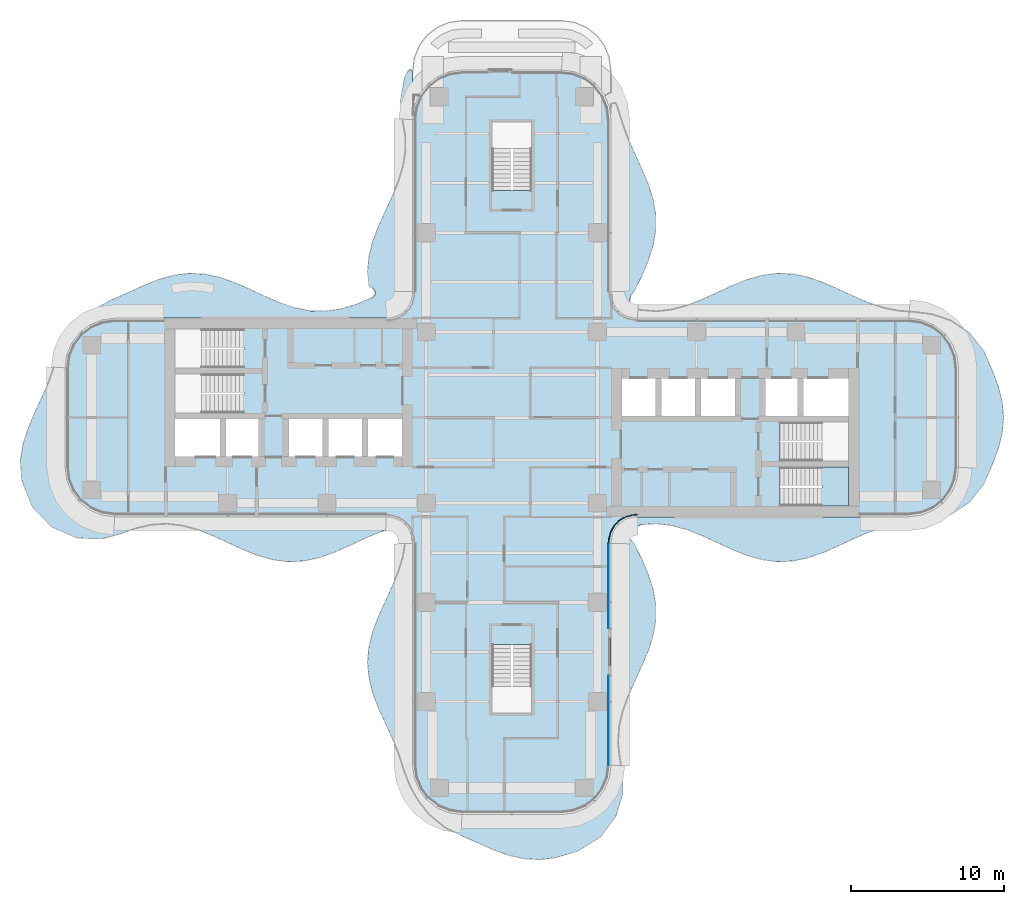
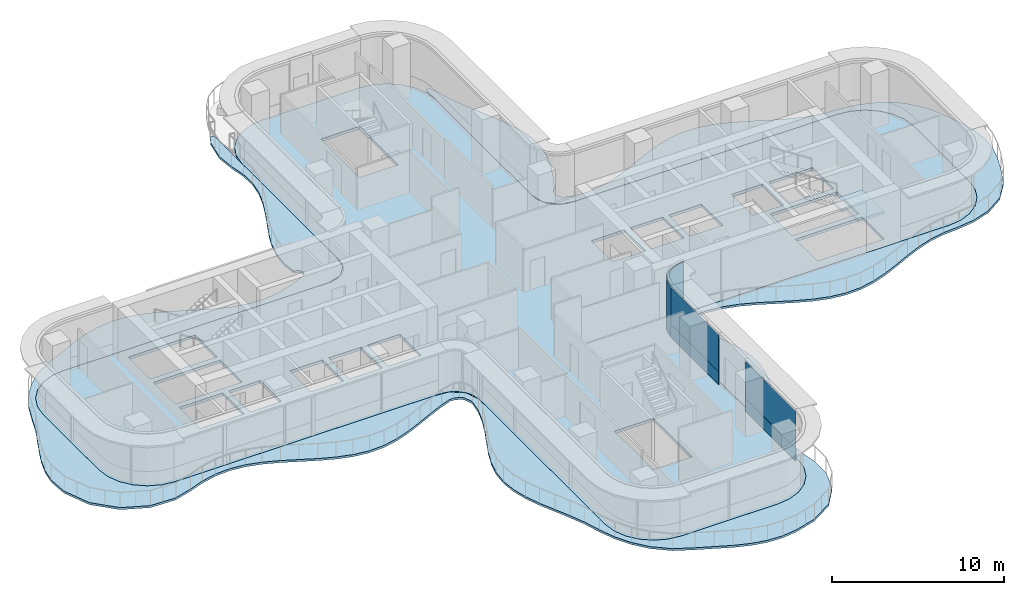
# One storey, part 10 of 17: 5 plates, 3 slabs, 4 elements without a shape of their own.
"""IFC4 building model written with IfcOpenShell, lengths in metres."""

from ifc_helpers import new_model, si_unit, direction, frame, origin, place, context, subcontext, project, spatial, polyline, outline, extrude, source, transform, mapped, material, layer, layer_set, type_object, element, aggregate, save


model = new_model("IFC4")

# Units and contexts
model_context = context("Model", 3, precision=1e-05, world=origin(), true_north=direction((0.0, 1.0)))
body_context = subcontext(model_context, "Body", "Model", "MODEL_VIEW")
ifc_project = project(units=[si_unit("LENGTHUNIT", "METRE"), si_unit("AREAUNIT", "SQUARE_METRE"), si_unit("VOLUMEUNIT", "CUBIC_METRE"), si_unit("PLANEANGLEUNIT", "RADIAN"), si_unit("MASSUNIT", "GRAM", prefix="KILO")], contexts=[model_context])

# Site, building, storey
site_placement = place(None, origin())
site = spatial("IfcSite", under=ifc_project, at=site_placement, CompositionType="ELEMENT")
building_placement = place(site_placement, origin())
building = spatial("IfcBuilding", under=site, at=building_placement, Name="Trellis Farm Tower", CompositionType="ELEMENT")
storey_placement = place(building_placement, frame((0.0, 0.0, 185.39990234375)))
storey = spatial("IfcBuildingStorey", under=building, at=storey_placement, Name="L40", CompositionType="ELEMENT", Elevation=185.39990234375)

# Slabs
ifc_material_1 = material(Name="Concrete C40/50", Category="concrete")
ifc_layer_1 = layer(ifc_material_1, 0.14990234375)
ifc_layer_set_1 = layer_set([ifc_layer_1], Name="Balcony slab 150")
slab_type_1 = type_object("IfcSlabType", Name="Balcony slab 150", PredefinedType="FLOOR", material=ifc_layer_set_1)
slab_1_placement = place(storey_placement, frame((0.0, 0.0, -0.14990234375)))
element("IfcSlab", 1, at=slab_1_placement, inside=storey, type_object=slab_type_1, Name="Balcony slab", PredefinedType="FLOOR", context=body_context, shape_type="SweptSolid", body=[
    extrude(outline(polyline([(-20.648193359375, -7.320556640625), (-21.5908203125, -7.068115234375), (-21.601806640625, -7.06591796875), (-22.582275390625, -6.955322265625), (-22.59521484375, -6.955078125), (-23.581298828125, -7.014404296875), (-23.59326171875, -7.01611328125), (-24.5869140625, -7.24072265625), (-24.595703125, -7.243408203125), (-25.610107421875, -7.609130859375), (-25.620361328125, -7.6123046875), (-26.7919921875, -7.942138671875), (-26.837890625, -7.94775390625), (-28.42724609375, -7.891357421875), (-28.455322265625, -7.8876953125), (-28.48974609375, -7.8798828125), (-28.515869140625, -7.871337890625), (-30.05029296875, -7.208984375), (-30.076171875, -7.19482421875), (-30.107666015625, -7.173095703125), (-30.130126953125, -7.154052734375), (-31.3583984375, -5.8857421875), (-31.37646484375, -5.86328125), (-31.396484375, -5.83203125), (-31.41015625, -5.805908203125), (-32.0810546875, -4.120361328125), (-32.09130859375, -4.07470703125), (-32.175537109375, -2.78955078125), (-32.173828125, -2.755126953125), (-32.010986328125, -1.777587890625), (-32.006103515625, -1.7568359375), (-31.6884765625, -0.757568359375), (-31.68359375, -0.74462890625), (-31.268310546875, 0.2392578125), (-31.2666015625, 0.2431640625), (-30.366455078125, 2.215087890625), (-30.364013671875, 2.221435546875), (-29.9951171875, 3.273681640625), (-29.993896484375, 3.27734375), (-29.5791015625, 4.370361328125), (-29.568603515625, 4.39208984375), (-29.0205078125, 5.343017578125), (-29.008056640625, 5.361083984375), (-28.320556640625, 6.227783203125), (-28.302734375, 6.24658203125), (-27.4013671875, 7.048095703125), (-27.3740234375, 7.0673828125), (-26.239990234375, 7.692626953125), (-26.226806640625, 7.698974609375), (-25.13720703125, 8.168701171875), (-25.135498046875, 8.169189453125), (-24.135009765625, 8.630615234375), (-24.1279296875, 8.6337890625), (-23.137451171875, 9.0302734375), (-23.122802734375, 9.03515625), (-22.14013671875, 9.313720703125), (-22.1181640625, 9.318115234375), (-21.143310546875, 9.442138671875), (-21.11767578125, 9.443115234375), (-20.147216796875, 9.3984375), (-20.123046875, 9.3955078125), (-19.172607421875, 9.194580078125), (-19.154296875, 9.189453125), (-18.155029296875, 8.841064453125), (-18.14404296875, 8.8369140625), (-17.15869140625, 8.404052734375), (-17.155517578125, 8.402587890625), (-16.158447265625, 7.9365234375), (-16.156494140625, 7.935546875), (-15.154541015625, 7.505126953125), (-15.148681640625, 7.5029296875), (-14.19580078125, 7.18408203125), (-14.186279296875, 7.181640625), (-13.207275390625, 6.990966796875), (-13.195068359375, 6.989501953125), (-12.212158203125, 6.963134765625), (-12.199462890625, 6.9638671875), (-11.20947265625, 7.108154296875), (-11.19873046875, 7.1103515625), (-10.17041015625, 7.41943359375), (-10.1630859375, 7.422119140625), (-9.131103515625, 7.8544921875), (-9.109619140625, 7.867919921875), (-9.000732421875, 7.966796875), (-8.97998046875, 7.99853515625), (-8.9365234375, 8.132080078125), (-8.9345703125, 8.169921875), (-8.962890625, 8.307373046875), (-8.979736328125, 8.34130859375), (-9.07275390625, 8.446533203125), (-9.10400390625, 8.467529296875), (-9.249267578125, 8.51708984375), (-9.260009765625, 8.52001953125), (-9.33837890625, 8.568115234375), (-9.373779296875, 8.65283203125), (-9.447509765625, 9.523681640625), (-9.447509765625, 9.5498046875), (-9.36083984375, 10.519775390625), (-9.35693359375, 10.54296875), (-9.11279296875, 11.515869140625), (-9.10791015625, 11.532470703125), (-8.742431640625, 12.50146484375), (-8.73828125, 12.510986328125), (-7.828857421875, 14.49658203125), (-7.82763671875, 14.499267578125), (-7.410400390625, 15.514404296875), (-7.408203125, 15.521240234375), (-7.12158203125, 16.468994140625), (-7.119140625, 16.47900390625), (-6.9677734375, 17.458740234375), (-6.966796875, 17.471435546875), (-6.9833984375, 18.45751953125), (-6.984619140625, 18.469482421875), (-7.17333984375, 19.531982421875), (-7.175048828125, 19.5439453125), (-7.289794921875, 20.74169921875), (-7.2880859375, 20.782470703125), (-7.031005859375, 22.219482421875), (-7.01708984375, 22.2607421875), (-6.78369140625, 22.7216796875), (-6.681396484375, 22.800537109375), (-6.5556640625, 22.7705078125), (-6.5, 22.654052734375), (-6.5, 19.504638671875), (-6.50048828125, 19.5), (-6.50048828125, 8.536376953125), (-6.501220703125, 8.526611328125), (-6.618408203125, 7.612548828125), (-6.629638671875, 7.572021484375), (-6.650390625, 7.52392578125), (-6.672119140625, 7.48828125), (-7.201171875, 6.84423828125), (-7.23388671875, 6.814697265625), (-7.279052734375, 6.784423828125), (-7.320068359375, 6.765380859375), (-8.194091796875, 6.5087890625), (-8.236083984375, 6.502685546875), (-21.130615234375, 6.50048828125), (-26.0, 6.50048828125), (-26.84130859375, 6.389892578125), (-27.625244140625, 6.065185546875), (-28.298583984375, 5.548583984375), (-28.815185546875, 4.875244140625), (-29.139892578125, 4.09130859375), (-29.25048828125, 3.25), (-29.25048828125, -3.25), (-29.139892578125, -4.09130859375), (-28.815185546875, -4.875244140625), (-28.298583984375, -5.548583984375), (-27.625244140625, -6.065185546875), (-26.84130859375, -6.389892578125), (-26.0, -6.50048828125), (-8.66748046875, -6.50048828125), (-8.6669921875, -6.50048828125), (-7.740234375, -6.58544921875), (-7.7041015625, -6.59326171875), (-7.66015625, -6.608642578125), (-7.627197265625, -6.625), (-6.92724609375, -7.08642578125), (-6.892822265625, -7.117919921875), (-6.857421875, -7.162109375), (-6.83349609375, -7.2041015625), (-6.5205078125, -8.05517578125), (-6.51123046875, -8.105224609375), (-6.50048828125, -8.99609375), (-6.50048828125, -22.75), (-6.389892578125, -23.59130859375), (-6.065185546875, -24.375244140625), (-5.548583984375, -25.048583984375), (-4.875244140625, -25.565185546875), (-4.09130859375, -25.889892578125), (-3.25, -26.00048828125), (3.25, -26.00048828125), (4.09130859375, -25.889892578125), (4.875244140625, -25.565185546875), (5.548583984375, -25.048583984375), (6.065185546875, -24.375244140625), (6.389892578125, -23.59130859375), (6.50048828125, -22.75), (6.50048828125, -8.321044921875), (6.50439453125, -8.290283203125), (6.720458984375, -7.40380859375), (6.737060546875, -7.363037109375), (6.764404296875, -7.31689453125), (6.79150390625, -7.283203125), (7.401611328125, -6.717041015625), (7.43701171875, -6.692626953125), (7.485107421875, -6.668701171875), (7.526611328125, -6.655517578125), (8.429931640625, -6.502197265625), (8.44775390625, -6.50048828125), (26.0, -6.50048828125), (26.84130859375, -6.389892578125), (27.625244140625, -6.065185546875), (28.298583984375, -5.548583984375), (28.815185546875, -4.875244140625), (29.139892578125, -4.09130859375), (29.25048828125, -3.25), (29.25048828125, 3.25), (29.139892578125, 4.09130859375), (28.815185546875, 4.875244140625), (28.298583984375, 5.548583984375), (27.625244140625, 6.065185546875), (26.84130859375, 6.389892578125), (26.0, 6.50048828125), (8.44775390625, 6.50048828125), (8.429931640625, 6.502197265625), (7.526611328125, 6.655517578125), (7.485107421875, 6.668701171875), (7.43701171875, 6.692626953125), (7.401611328125, 6.717041015625), (6.79150390625, 7.283203125), (6.764404296875, 7.31689453125), (6.737060546875, 7.363037109375), (6.720458984375, 7.40380859375), (6.50439453125, 8.290283203125), (6.50048828125, 8.321044921875), (6.50048828125, 19.5), (6.5, 19.504638671875), (6.5, 20.54638671875), (6.55712890625, 20.664306640625), (6.684814453125, 20.6923828125), (6.7861328125, 20.609375), (6.906494140625, 20.34912109375), (6.91357421875, 20.330810546875), (7.24365234375, 19.26708984375), (7.244873046875, 19.263916015625), (7.61328125, 18.244140625), (7.615478515625, 18.238525390625), (8.5166015625, 16.2646484375), (8.518310546875, 16.2607421875), (8.93359375, 15.276611328125), (8.9384765625, 15.263916015625), (9.25048828125, 14.287841796875), (9.25537109375, 14.267822265625), (9.42333984375, 13.297119140625), (9.425537109375, 13.271484375), (9.425537109375, 12.271484375), (9.42333984375, 12.245849609375), (9.25537109375, 11.275146484375), (9.25048828125, 11.2548828125), (8.9384765625, 10.279052734375), (8.933837890625, 10.266357421875), (8.5224609375, 9.29150390625), (8.518798828125, 9.283935546875), (8.0673828125, 8.36279296875), (8.052001953125, 8.337890625), (7.797119140625, 8.00390625), (7.784912109375, 7.97900390625), (7.72119140625, 7.754638671875), (7.71875, 7.7265625), (7.73779296875, 7.55029296875), (7.741943359375, 7.531982421875), (7.79296875, 7.3955078125), (7.814208984375, 7.365478515625), (7.924560546875, 7.2705078125), (7.940185546875, 7.260009765625), (8.3642578125, 7.05078125), (8.3779296875, 7.045654296875), (8.495361328125, 7.01416015625), (8.51025390625, 7.01171875), (9.447998046875, 6.955078125), (9.460693359375, 6.955322265625), (10.441162109375, 7.06591796875), (10.4521484375, 7.068115234375), (11.431396484375, 7.33251953125), (11.439208984375, 7.3349609375), (12.421142578125, 7.71826171875), (12.42529296875, 7.719970703125), (14.39990234375, 8.627197265625), (14.40673828125, 8.630126953125), (15.38818359375, 9.0244140625), (15.4033203125, 9.029296875), (16.402587890625, 9.313720703125), (16.4248046875, 9.318115234375), (17.399658203125, 9.442138671875), (17.42529296875, 9.443115234375), (18.39599609375, 9.3984375), (18.419921875, 9.3955078125), (19.370361328125, 9.194580078125), (19.388671875, 9.189453125), (20.387939453125, 8.841064453125), (20.39892578125, 8.8369140625), (21.38427734375, 8.404052734375), (21.387451171875, 8.402587890625), (22.384521484375, 7.9365234375), (22.386474609375, 7.935546875), (23.36083984375, 7.515625), (23.36669921875, 7.513427734375), (24.346923828125, 7.18408203125), (24.356689453125, 7.181640625), (25.345703125, 6.989013671875), (25.3544921875, 6.98779296875), (26.42529296875, 6.909912109375), (26.434814453125, 6.9091796875), (27.52099609375, 6.76220703125), (27.549072265625, 6.755615234375), (28.743896484375, 6.35107421875), (28.7783203125, 6.334228515625), (29.926513671875, 5.57568359375), (29.96142578125, 5.543701171875), (30.875244140625, 4.390869140625), (30.89501953125, 4.358154296875), (31.484619140625, 3.01806640625), (31.488037109375, 3.009765625), (31.858154296875, 2.010009765625), (31.863037109375, 1.994384765625), (32.106689453125, 1.021484375), (32.11083984375, 0.998046875), (32.197509765625, -0.001953125), (32.197509765625, -0.0283203125), (32.11083984375, -0.998291015625), (32.10693359375, -1.021484375), (31.863037109375, -1.994384765625), (31.858154296875, -2.010009765625), (31.488037109375, -3.010009765625), (31.48486328125, -3.017822265625), (30.918212890625, -4.3193359375), (30.8984375, -4.352294921875), (29.9619140625, -5.543212890625), (29.926025390625, -5.575927734375), (28.739013671875, -6.353515625), (28.7041015625, -6.3701171875), (27.548583984375, -6.755615234375), (27.521484375, -6.76220703125), (26.434814453125, -6.9091796875), (26.42529296875, -6.909912109375), (25.3544921875, -6.98779296875), (25.345703125, -6.989013671875), (24.356689453125, -7.181640625), (24.346923828125, -7.18408203125), (23.36669921875, -7.513427734375), (23.36083984375, -7.515625), (22.386474609375, -7.935546875), (22.384521484375, -7.9365234375), (21.3837890625, -8.404296875), (21.38037109375, -8.40576171875), (20.38623046875, -8.841796875), (20.375244140625, -8.845947265625), (19.388916015625, -9.189208984375), (19.3701171875, -9.194580078125), (18.3916015625, -9.39892578125), (18.3671875, -9.402099609375), (17.395263671875, -9.44189453125), (17.369384765625, -9.44091796875), (16.399169921875, -9.31298828125), (16.37744140625, -9.30859375), (15.420166015625, -9.03515625), (15.405517578125, -9.0302734375), (14.40673828125, -8.630126953125), (14.39990234375, -8.627197265625), (12.40673828125, -7.712158203125), (12.402587890625, -7.71044921875), (11.439208984375, -7.3349609375), (11.431396484375, -7.33251953125), (10.4521484375, -7.068115234375), (10.441162109375, -7.06591796875), (9.460693359375, -6.955322265625), (9.447998046875, -6.955078125), (8.51025390625, -7.01171875), (8.495361328125, -7.01416015625), (8.3779296875, -7.045654296875), (8.3642578125, -7.05078125), (7.940185546875, -7.260009765625), (7.924560546875, -7.2705078125), (7.814208984375, -7.365478515625), (7.79296875, -7.3955078125), (7.741943359375, -7.531982421875), (7.73779296875, -7.55029296875), (7.71875, -7.7265625), (7.72119140625, -7.754638671875), (7.784912109375, -7.97900390625), (7.797119140625, -8.00390625), (8.052001953125, -8.337890625), (8.0673828125, -8.36279296875), (8.518798828125, -9.283935546875), (8.5224609375, -9.29150390625), (8.933837890625, -10.266357421875), (8.9384765625, -10.279052734375), (9.25048828125, -11.2548828125), (9.25537109375, -11.275146484375), (9.42333984375, -12.24609375), (9.425537109375, -12.271240234375), (9.427978515625, -13.2421875), (9.426025390625, -13.267578125), (9.260986328125, -14.244140625), (9.256103515625, -14.264404296875), (8.944091796875, -15.2490234375), (8.939208984375, -15.261962890625), (8.518310546875, -16.2607421875), (8.5166015625, -16.2646484375), (7.606201171875, -18.26220703125), (7.60400390625, -18.267578125), (7.255615234375, -19.225341796875), (7.2529296875, -19.23388671875), (7.0244140625, -20.212890625), (7.022705078125, -20.22509765625), (6.955078125, -21.266845703125), (6.955322265625, -21.27978515625), (7.0615234375, -22.2490234375), (7.062255859375, -22.25390625), (7.25341796875, -23.34228515625), (7.255859375, -23.36962890625), (7.243408203125, -24.68701171875), (7.23681640625, -24.7294921875), (6.815673828125, -26.101318359375), (6.805908203125, -26.12548828125), (6.790283203125, -26.15576171875), (6.776611328125, -26.177734375), (5.824462890625, -27.44140625), (5.8056640625, -27.4619140625), (5.77880859375, -27.486572265625), (5.75634765625, -27.50341796875), (4.30517578125, -28.394287109375), (4.268310546875, -28.410400390625), (2.869140625, -28.813720703125), (2.846435546875, -28.818115234375), (1.871826171875, -28.942138671875), (1.84619140625, -28.943115234375), (0.87548828125, -28.8984375), (0.8515625, -28.8955078125), (-0.098876953125, -28.694580078125), (-0.1171875, -28.689453125), (-1.1162109375, -28.341064453125), (-1.127685546875, -28.336669921875), (-3.15478515625, -27.439208984375), (-3.15869140625, -27.437255859375), (-4.3271484375, -26.876708984375), (-4.357177734375, -26.857421875), (-5.374267578125, -26.02587890625), (-5.396484375, -26.00341796875), (-6.10107421875, -25.121826171875), (-6.1142578125, -25.102294921875), (-6.653076171875, -24.155029296875), (-6.662353515625, -24.135009765625), (-7.072265625, -23.078369140625), (-7.0751953125, -23.069580078125), (-7.418701171875, -21.99072265625), (-7.4208984375, -21.98486328125), (-7.82763671875, -20.9990234375), (-7.82861328125, -20.99658203125), (-8.734130859375, -19.021240234375), (-8.738037109375, -19.01171875), (-9.10791015625, -18.032470703125), (-9.11279296875, -18.015869140625), (-9.35693359375, -17.04296875), (-9.36083984375, -17.019775390625), (-9.447509765625, -16.0498046875), (-9.447509765625, -16.0234375), (-9.36083984375, -15.0234375), (-9.356689453125, -14.999755859375), (-9.11279296875, -14.027099609375), (-9.10791015625, -14.010498046875), (-8.738037109375, -13.03125), (-8.734130859375, -13.021728515625), (-7.82861328125, -11.04638671875), (-7.82763671875, -11.043701171875), (-7.422119140625, -10.060546875), (-7.41943359375, -10.0537109375), (-7.12158203125, -9.07421875), (-7.119140625, -9.06396484375), (-6.98681640625, -8.20751953125), (-6.986328125, -8.1875), (-7.005615234375, -8.024658203125), (-7.010498046875, -8.005615234375), (-7.177001953125, -7.591552734375), (-7.18505859375, -7.576904296875), (-7.25927734375, -7.469970703125), (-7.283447265625, -7.44775390625), (-7.396484375, -7.383544921875), (-7.411865234375, -7.376953125), (-7.760498046875, -7.271484375), (-7.783447265625, -7.268310546875), (-7.97607421875, -7.2724609375), (-7.999267578125, -7.276611328125), (-8.6748046875, -7.5126953125), (-8.6796875, -7.5146484375), (-9.656494140625, -7.935546875), (-9.658447265625, -7.9365234375), (-10.6591796875, -8.404296875), (-10.66259765625, -8.40576171875), (-11.65673828125, -8.841796875), (-11.66748046875, -8.845947265625), (-12.654052734375, -9.189208984375), (-12.6728515625, -9.194580078125), (-13.6513671875, -9.39892578125), (-13.67578125, -9.402099609375), (-14.647705078125, -9.44189453125), (-14.673583984375, -9.44091796875), (-15.643798828125, -9.31298828125), (-15.66552734375, -9.308349609375), (-16.639892578125, -9.029296875), (-16.654541015625, -9.0244140625), (-17.63623046875, -8.630126953125), (-17.64306640625, -8.627197265625), (-19.63623046875, -7.712158203125), (-19.640380859375, -7.71044921875), (-20.640380859375, -7.322998046875), (-20.648193359375, -7.320556640625)])), origin(), (0.0, 0.0, 1.0), 0.14990234375),
])
ifc_layer_2 = layer(ifc_material_1, 0.199951171875)
ifc_layer_set_2 = layer_set([ifc_layer_2], Name="Composite deck floor slab 200")
slab_type_2 = type_object("IfcSlabType", Name="Composite deck floor slab 200", PredefinedType="FLOOR", material=ifc_layer_set_2)
shared_shape_1 = source(origin(), body_context, "Body", "SweptSolid", [
    extrude(outline(polyline([(-26.84130859375, -6.389404296875), (-27.625, -6.064697265625), (-28.298095703125, -5.548095703125), (-28.814697265625, -4.875), (-29.139404296875, -4.09130859375), (-29.25, -3.25), (-29.25, 3.25), (-29.139404296875, 4.09130859375), (-28.814697265625, 4.875), (-28.298095703125, 5.548095703125), (-27.625, 6.064697265625), (-26.84130859375, 6.389404296875), (-26.0, 6.5), (-8.2314453125, 6.5), (-8.01953125, 6.513916015625), (-7.91552734375, 6.527587890625), (-7.508544921875, 6.63671875), (-7.144287109375, 6.846923828125), (-6.846923828125, 7.144287109375), (-6.63671875, 7.508544921875), (-6.527587890625, 7.91552734375), (-6.513916015625, 8.01953125), (-6.5, 8.2314453125), (-6.5, 19.5), (-6.389404296875, 20.34130859375), (-6.064697265625, 21.125), (-5.548095703125, 21.798095703125), (-4.875, 22.314697265625), (-4.09130859375, 22.639404296875), (-3.25, 22.75), (3.25, 22.75), (4.09130859375, 22.639404296875), (4.875, 22.314697265625), (5.548095703125, 21.798095703125), (6.064697265625, 21.125), (6.389404296875, 20.34130859375), (6.5, 19.5), (6.5, 8.2314453125), (6.513916015625, 8.01953125), (6.527587890625, 7.91552734375), (6.63671875, 7.508544921875), (6.846923828125, 7.144287109375), (7.144287109375, 6.846923828125), (7.508544921875, 6.63671875), (7.91552734375, 6.527587890625), (8.01953125, 6.513916015625), (8.2314453125, 6.5), (26.0, 6.5), (26.84130859375, 6.389404296875), (27.625, 6.064697265625), (28.298095703125, 5.548095703125), (28.814697265625, 4.875), (29.139404296875, 4.09130859375), (29.25, 3.25), (29.25, -3.25), (29.139404296875, -4.09130859375), (28.814697265625, -4.875), (28.298095703125, -5.548095703125), (27.625, -6.064697265625), (26.84130859375, -6.389404296875), (26.0, -6.5), (8.2314453125, -6.5), (8.01953125, -6.513916015625), (7.91552734375, -6.527587890625), (7.508544921875, -6.63671875), (7.144287109375, -6.846923828125), (6.846923828125, -7.144287109375), (6.63671875, -7.508544921875), (6.527587890625, -7.91552734375), (6.513916015625, -8.01953125), (6.5, -8.2314453125), (6.5, -22.75), (6.389404296875, -23.59130859375), (6.064697265625, -24.375), (5.548095703125, -25.048095703125), (4.875, -25.564697265625), (4.09130859375, -25.889404296875), (3.25, -26.0), (-3.25, -26.0), (-4.09130859375, -25.889404296875), (-4.875, -25.564697265625), (-5.548095703125, -25.048095703125), (-6.064697265625, -24.375), (-6.389404296875, -23.59130859375), (-6.5, -22.75), (-6.5, -8.2314453125), (-6.513916015625, -8.01953125), (-6.527587890625, -7.91552734375), (-6.63671875, -7.508544921875), (-6.846923828125, -7.144287109375), (-7.144287109375, -6.846923828125), (-7.508544921875, -6.63671875), (-7.91552734375, -6.527587890625), (-8.01953125, -6.513916015625), (-8.2314453125, -6.5), (-26.0, -6.5), (-26.84130859375, -6.389404296875)]), holes=[polyline([(-22.050048828125, -0.10009765625), (-22.050048828125, -2.550048828125), (-19.10009765625, -2.550048828125), (-19.10009765625, -0.10009765625), (-22.050048828125, -0.10009765625)]), polyline([(-18.699951171875, -0.10009765625), (-18.699951171875, -2.550048828125), (-16.60009765625, -2.550048828125), (-16.60009765625, -0.10009765625), (-18.699951171875, -0.10009765625)]), polyline([(-14.60009765625, -0.10009765625), (-14.60009765625, -2.550048828125), (-12.39990234375, -2.550048828125), (-12.39990234375, -0.10009765625), (-14.60009765625, -0.10009765625)]), polyline([(-12.0, -0.10009765625), (-12.0, -2.550048828125), (-9.800048828125, -2.550048828125), (-9.800048828125, -0.10009765625), (-12.0, -0.10009765625)]), polyline([(-9.39990234375, -0.10009765625), (-9.39990234375, -2.550048828125), (-7.199951171875, -2.550048828125), (-7.199951171875, -0.10009765625), (-9.39990234375, -0.10009765625)]), polyline([(-17.56201171875, 1.64990234375), (-17.56201171875, 2.85009765625), (-22.050048828125, 2.85009765625), (-22.050048828125, 0.300048828125), (-17.56005859375, 0.300048828125), (-17.56005859375, 1.5), (-17.550048828125, 1.5), (-17.550048828125, 1.64990234375), (-17.56201171875, 1.64990234375)]), polyline([(-17.56201171875, 4.60009765625), (-17.56201171875, 5.800048828125), (-22.050048828125, 5.800048828125), (-22.050048828125, 3.25), (-17.56005859375, 3.25), (-17.56005859375, 4.449951171875), (-17.550048828125, 4.449951171875), (-17.550048828125, 4.60009765625), (-17.56201171875, 4.60009765625)]), polyline([(0.10009765625, 14.862060546875), (1.300048828125, 14.862060546875), (1.300048828125, 19.35009765625), (-1.300048828125, 19.35009765625), (-1.300048828125, 14.860107421875), (-0.10009765625, 14.860107421875), (-0.10009765625, 14.85009765625), (0.10009765625, 14.85009765625), (0.10009765625, 14.862060546875)]), polyline([(-0.10009765625, -14.862060546875), (-1.300048828125, -14.862060546875), (-1.300048828125, -19.35009765625), (1.300048828125, -19.35009765625), (1.300048828125, -14.860107421875), (0.10009765625, -14.860107421875), (0.10009765625, -14.85009765625), (-0.10009765625, -14.85009765625), (-0.10009765625, -14.862060546875)]), polyline([(17.56201171875, -4.60009765625), (17.56201171875, -5.800048828125), (22.050048828125, -5.800048828125), (22.050048828125, -3.25), (17.56005859375, -3.25), (17.56005859375, -4.449951171875), (17.550048828125, -4.449951171875), (17.550048828125, -4.60009765625), (17.56201171875, -4.60009765625)]), polyline([(17.56201171875, -1.64990234375), (17.56201171875, -2.85009765625), (22.050048828125, -2.85009765625), (22.050048828125, -0.300048828125), (17.56005859375, -0.300048828125), (17.56005859375, -1.5), (17.550048828125, -1.5), (17.550048828125, -1.64990234375), (17.56201171875, -1.64990234375)]), polyline([(9.39990234375, 0.10009765625), (9.39990234375, 2.550048828125), (7.199951171875, 2.550048828125), (7.199951171875, 0.10009765625), (9.39990234375, 0.10009765625)]), polyline([(12.0, 0.10009765625), (12.0, 2.550048828125), (9.800048828125, 2.550048828125), (9.800048828125, 0.10009765625), (12.0, 0.10009765625)]), polyline([(14.60009765625, 0.10009765625), (14.60009765625, 2.550048828125), (12.39990234375, 2.550048828125), (12.39990234375, 0.10009765625), (14.60009765625, 0.10009765625)]), polyline([(18.699951171875, 0.10009765625), (18.699951171875, 2.550048828125), (16.60009765625, 2.550048828125), (16.60009765625, 0.10009765625), (18.699951171875, 0.10009765625)]), polyline([(22.050048828125, 0.10009765625), (22.050048828125, 2.550048828125), (19.10009765625, 2.550048828125), (19.10009765625, 0.10009765625), (22.050048828125, 0.10009765625)])]), origin(), (0.0, 0.0, 1.0), 0.199951171875),
])
slab_2_placement = place(storey_placement, frame((0.0, 0.0, -0.199951171875)))
element("IfcSlab", 2, at=slab_2_placement, inside=storey, type_object=slab_type_2, Name="Floor slab", PredefinedType="FLOOR", context=body_context, shape_type="MappedRepresentation", body=[
    mapped(shared_shape_1, transform((0.0, 0.0, 0.0))),
])

# Stair, slab
ifc_material_2 = material(Name="Concrete C50/60", Category="concrete")
stair_type = type_object("IfcStairType", Name="CORE EXIT STAIR 22 RISERS 177 MM", PredefinedType="HALF_TURN_STAIR", material=ifc_material_2)
placement_1 = place(storey_placement, origin())
stair = element("IfcStair", 3, at=placement_1, inside=storey, type_object=stair_type, Name="Exit stair E1", PredefinedType="HALF_TURN_STAIR")
ifc_layer_3 = layer(ifc_material_2, 0.18994140625)
ifc_layer_set_3 = layer_set([ifc_layer_3], Name="CORE STAIR LANDING 190 CONCRETE C50/60")
slab_type_3 = type_object("IfcSlabType", Name="CORE STAIR LANDING 190 CONCRETE C50/60", PredefinedType="LANDING", material=ifc_layer_set_3)
shared_shape_2 = source(origin(), body_context, "Body", "SweptSolid", [
    extrude(outline(polyline([(20.2900390625, -5.800048828125), (20.2900390625, -4.60009765625), (20.300048828125, -4.60009765625), (20.300048828125, -4.449951171875), (19.971923828125, -4.449951171875), (19.971923828125, -3.25), (20.300048828125, -3.25), (22.050048828125, -3.25), (22.050048828125, -5.800048828125), (20.300048828125, -5.800048828125), (20.2900390625, -5.800048828125)])), origin(), (0.0, 0.0, 1.0), 0.190185546875),
])
slab_3_placement = place(storey_placement, frame((0.0, 0.0, 1.760009765625)))
slab_3 = element("IfcSlab", 4, at=slab_3_placement, type_object=slab_type_3, Name="STE1 landing 1", PredefinedType="LANDING", context=body_context, shape_type="MappedRepresentation", body=[
    mapped(shared_shape_2, transform((0.0, 0.0, 0.0))),
])
aggregate(stair, [slab_3])

# Curtain wall, plate
ifc_material_3 = material(Name="Aluminium and glass curtain wall", Category="aluminium")
ifc_layer_4 = layer(ifc_material_3, 0.166015625)
ifc_layer_set_4 = layer_set([ifc_layer_4], Name="WINTER GARDEN CURTAIN WALL CW3")
curtain_wall_type_1 = type_object("IfcCurtainWallType", Name="WINTER GARDEN CURTAIN WALL CW3", PredefinedType="NOTDEFINED", material=ifc_layer_set_4)
curtain_wall_1 = element("IfcCurtainWall", 5, at=placement_1, inside=storey, type_object=curtain_wall_type_1, Name="CW3 002", PredefinedType="NOTDEFINED")
ifc_material_4 = material(Name="Clear insulated glass", Category="glass")
ifc_layer_5 = layer(ifc_material_4, 0.0458984375)
ifc_layer_set_5 = layer_set([ifc_layer_5], Name="CW3 GLASS PANEL 46")
plate_type_1 = type_object("IfcPlateType", Name="CW3 GLASS PANEL 46", PredefinedType="CURTAIN_PANEL", material=ifc_layer_set_5)
shared_shape_3 = source(origin(), body_context, "Body", "SweptSolid", [
    extrude(outline(polyline([(6.3798828125, -8.2275390625), (6.394287109375, -8.0078125), (6.40966796875, -7.89208984375), (6.52490234375, -7.462158203125), (6.7509765625, -7.070556640625), (7.070556640625, -6.7509765625), (7.462158203125, -6.52490234375), (7.89208984375, -6.40966796875), (8.0078125, -6.394287109375), (8.2275390625, -6.3798828125), (8.22607421875, -6.333984375), (8.003173828125, -6.3486328125), (7.883056640625, -6.364501953125), (7.4443359375, -6.48193359375), (7.04248046875, -6.714111328125), (6.714111328125, -7.04248046875), (6.48193359375, -7.4443359375), (6.364501953125, -7.883056640625), (6.3486328125, -8.003173828125), (6.333984375, -8.22607421875), (6.3798828125, -8.2275390625)])), origin(), (0.0, 0.0, 1.0), 3.550048828125),
])
plate_1 = element("IfcPlate", 6, at=placement_1, type_object=plate_type_1, Name="PL3 002", PredefinedType="CURTAIN_PANEL", context=body_context, shape_type="MappedRepresentation", body=[
    mapped(shared_shape_3, transform((0.0, 0.0, 0.0))),
])
aggregate(curtain_wall_1, [plate_1])

# Curtain wall, plates
ifc_layer_6 = layer(ifc_material_3, 0.18994140625)
ifc_layer_set_6 = layer_set([ifc_layer_6], Name="RIBBON CURTAIN WALL CW1")
curtain_wall_type_2 = type_object("IfcCurtainWallType", Name="RIBBON CURTAIN WALL CW1", PredefinedType="NOTDEFINED", material=ifc_layer_set_6)
curtain_wall_2 = element("IfcCurtainWall", 7, at=placement_1, inside=storey, type_object=curtain_wall_type_2, Name="CW1 004", PredefinedType="NOTDEFINED")
ifc_layer_7 = layer(ifc_material_4, 0.0400390625)
ifc_layer_set_7 = layer_set([ifc_layer_7], Name="CW1 GLASS PANEL 40")
plate_type_2 = type_object("IfcPlateType", Name="CW1 GLASS PANEL 40", PredefinedType="CURTAIN_PANEL", material=ifc_layer_set_7)
shared_shape_4 = source(origin(), body_context, "Body", "SweptSolid", [
    extrude(outline(polyline([(6.35009765625, -22.740234375), (6.35009765625, -16.909912109375), (6.31005859375, -16.909912109375), (6.31005859375, -22.737548828125), (6.35009765625, -22.740234375)])), origin(), (0.0, 0.0, 1.0), 2.619873046875),
])
placement_2 = place(storey_placement, frame((0.0, 0.0, 0.900146484375)))
plate_2 = element("IfcPlate", 8, at=placement_2, type_object=plate_type_2, Name="PL1 004", PredefinedType="CURTAIN_PANEL", context=body_context, shape_type="MappedRepresentation", body=[
    mapped(shared_shape_4, transform((0.0, 0.0, 0.0))),
])
ifc_material_5 = material(Name="Sandstone faced insulated panel", Category="masonry")
ifc_layer_8 = layer(ifc_material_5, 0.050048828125)
ifc_layer_set_8 = layer_set([ifc_layer_8], Name="CW1 STONE SPANDREL PANEL 50")
plate_type_3 = type_object("IfcPlateType", Name="CW1 STONE SPANDREL PANEL 50", PredefinedType="CURTAIN_PANEL", material=ifc_layer_set_8)
shared_shape_5 = source(origin(), body_context, "Body", "SweptSolid", [
    extrude(outline(polyline([(6.35009765625, -22.740234375), (6.35009765625, -16.909912109375), (6.300048828125, -16.909912109375), (6.300048828125, -22.73681640625), (6.35009765625, -22.740234375)])), origin(), (0.0, 0.0, 1.0), 0.900146484375),
])
plate_3 = element("IfcPlate", 9, at=placement_1, type_object=plate_type_3, Name="PS1 004", PredefinedType="CURTAIN_PANEL", context=body_context, shape_type="MappedRepresentation", body=[
    mapped(shared_shape_5, transform((0.0, 0.0, 0.0))),
])
aggregate(curtain_wall_2, [plate_2, plate_3])

curtain_wall_3 = element("IfcCurtainWall", 10, at=placement_1, inside=storey, type_object=curtain_wall_type_2, Name="CW1 005", PredefinedType="NOTDEFINED")
shared_shape_6 = source(origin(), body_context, "Body", "SweptSolid", [
    extrude(outline(polyline([(6.35009765625, -13.7900390625), (6.35009765625, -8.2265625), (6.31005859375, -8.22509765625), (6.31005859375, -13.7900390625), (6.35009765625, -13.7900390625)])), origin(), (0.0, 0.0, 1.0), 2.619873046875),
])
plate_4 = element("IfcPlate", 11, at=placement_2, type_object=plate_type_2, Name="PL1 005", PredefinedType="CURTAIN_PANEL", context=body_context, shape_type="MappedRepresentation", body=[
    mapped(shared_shape_6, transform((0.0, 0.0, 0.0))),
])
shared_shape_7 = source(origin(), body_context, "Body", "SweptSolid", [
    extrude(outline(polyline([(6.35009765625, -13.7900390625), (6.35009765625, -8.2265625), (6.300048828125, -8.224853515625), (6.300048828125, -13.7900390625), (6.35009765625, -13.7900390625)])), origin(), (0.0, 0.0, 1.0), 0.900146484375),
])
plate_5 = element("IfcPlate", 12, at=placement_1, type_object=plate_type_3, Name="PS1 005", PredefinedType="CURTAIN_PANEL", context=body_context, shape_type="MappedRepresentation", body=[
    mapped(shared_shape_7, transform((0.0, 0.0, 0.0))),
])
aggregate(curtain_wall_3, [plate_4, plate_5])

save(model, "model.ifc")
